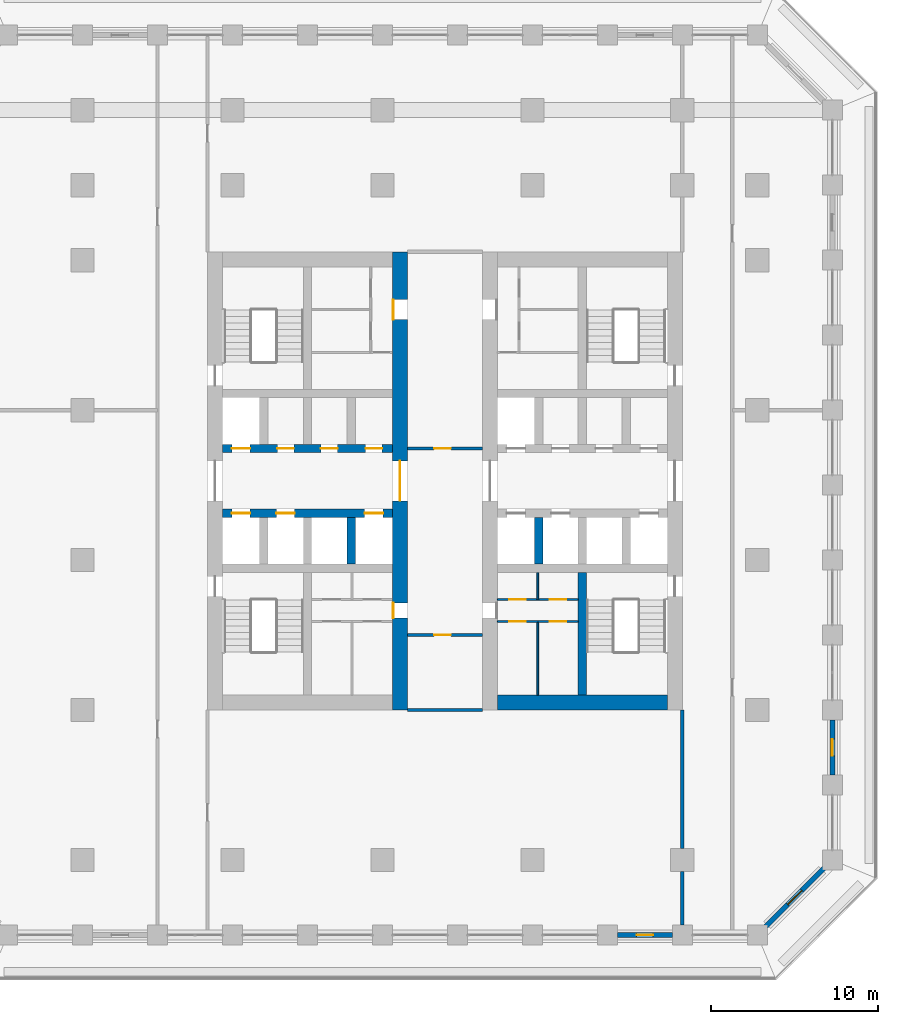
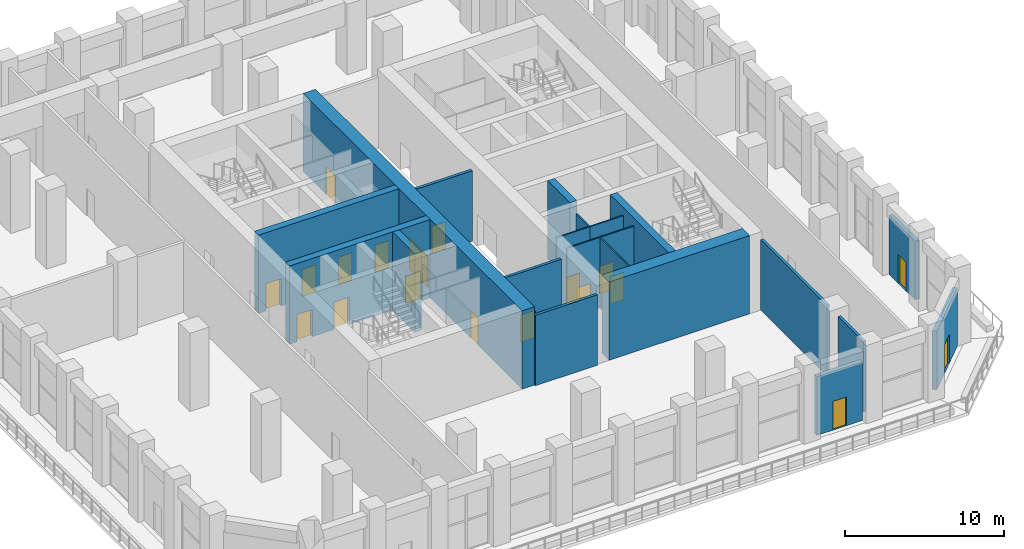
# One storey, part 13 of 24: 21 walls, 19 doors, 19 openings.
"""IFC4 building model written with IfcOpenShell, lengths in metres."""

from ifc_helpers import new_model, si_unit, direction, frame, frame_2d, origin, place, context, subcontext, project, spatial, rectangle, extrude, material, layer, layer_set, type_object, element, fill, save


model = new_model("IFC4")

# Units and contexts
model_context = context("Model", 3, precision=1e-05, world=origin(), true_north=direction((0.0, 1.0)))
body_context = subcontext(model_context, "Body", "Model", "MODEL_VIEW")
ifc_project = project(units=[si_unit("LENGTHUNIT", "METRE"), si_unit("AREAUNIT", "SQUARE_METRE"), si_unit("VOLUMEUNIT", "CUBIC_METRE"), si_unit("PLANEANGLEUNIT", "RADIAN"), si_unit("MASSUNIT", "GRAM", prefix="KILO")], contexts=[model_context])

# Site, building, storey
site_placement = place(None, origin())
site = spatial("IfcSite", under=ifc_project, at=site_placement, CompositionType="ELEMENT")
building_placement = place(site_placement, origin())
building = spatial("IfcBuilding", under=site, at=building_placement, Name="Corbel Stack Research Tower", CompositionType="ELEMENT")
storey_placement = place(building_placement, frame((0.0, 0.0, 145.39990234375)))
storey = spatial("IfcBuildingStorey", under=building, at=storey_placement, Name="L33", CompositionType="ELEMENT", Elevation=145.39990234375)

# Wall, openings, doors
ifc_material_1 = material(Name="Concrete C70/85", Category="concrete")
ifc_layer_1 = layer(ifc_material_1, 0.5)
ifc_layer_set_1 = layer_set([ifc_layer_1], Name="Concrete C70/85")
wall_type_1 = type_object("IfcWallType", Name="CW-500-70", PredefinedType="SHEAR", material=ifc_layer_set_1)
wall_1_placement = place(storey_placement, frame((-9.60009765625, 2.800048828125, 0.0), z_axis=(0.0, 0.0, 1.0), x_axis=(1.0, 0.0, 0.0)))
wall_1 = element("IfcWall", 1, at=wall_1_placement, inside=storey, type_object=wall_type_1, Name="West core wall, lobby south L33", PredefinedType="SHEAR", context=body_context, shape_type="SweptSolid", body=[
    extrude(rectangle(XDim=10.2001953125, YDim=0.5, at=frame_2d((5.10009765625, 0.0))), origin(), (0.0, 0.0, 1.0), 6.0),
])
opening_1_placement = place(wall_1_placement, frame((0.5625, 0.0, 0.0)))
opening_1 = element("IfcOpeningElement", 2, at=opening_1_placement, cuts=wall_1, Name="Opening LD-FS1", PredefinedType="OPENING", context=body_context, shape_type="SweptSolid", body=[
    extrude(rectangle(XDim=1.10009765625, YDim=2.10009765625, at=frame_2d((0.550048828125, 1.050048828125))), frame((0.0, 0.260009765625, 0.0), z_axis=(0.0, -1.0, 0.0), x_axis=(1.0, 0.0, 0.0)), (0.0, 0.0, 1.0), 0.52001953125),
])
opening_2_placement = place(wall_1_placement, frame((3.237548828125, 0.0, 0.0)))
opening_2 = element("IfcOpeningElement", 3, at=opening_2_placement, cuts=wall_1, Name="Opening LD-GL1", PredefinedType="OPENING", context=body_context, shape_type="SweptSolid", body=[
    extrude(rectangle(XDim=1.10009765625, YDim=2.10009765625, at=frame_2d((0.550048828125, 1.050048828125))), frame((0.0, 0.260009765625, 0.0), z_axis=(0.0, -1.0, 0.0), x_axis=(1.0, 0.0, 0.0)), (0.0, 0.0, 1.0), 0.52001953125),
])
opening_3_placement = place(wall_1_placement, frame((8.53759765625, 0.0, 0.0)))
opening_3 = element("IfcOpeningElement", 4, at=opening_3_placement, cuts=wall_1, Name="Opening LD-LR1", PredefinedType="OPENING", context=body_context, shape_type="SweptSolid", body=[
    extrude(rectangle(XDim=1.10009765625, YDim=2.10009765625, at=frame_2d((0.550048828125, 1.050048828125))), frame((0.0, 0.260009765625, 0.0), z_axis=(0.0, -1.0, 0.0), x_axis=(1.0, 0.0, 0.0)), (0.0, 0.0, 1.0), 0.52001953125),
])
ifc_material_2 = material(Name="Stainless steel landing door", Category="steel")
door_type_1 = type_object("IfcDoorType", Name="Lift landing door 1100 x 2100", OperationType="DOUBLE_DOOR_SLIDING", PredefinedType="DOOR", material=ifc_material_2)
door_1_placement = place(opening_1_placement, origin())
door_1 = element("IfcDoor", 5, at=door_1_placement, inside=storey, type_object=door_type_1, Name="Landing door FS1", OperationType="DOUBLE_DOOR_SLIDING", OverallHeight=2.10009765625, OverallWidth=1.10009765625, PredefinedType="DOOR", context=body_context, shape_type="SweptSolid", body=[
    extrude(rectangle(XDim=1.10009765625, YDim=2.10009765625, at=frame_2d((0.550048828125, 1.050048828125))), frame((0.0, 0.02490234375, 0.0), z_axis=(0.0, -1.0, 0.0), x_axis=(1.0, 0.0, 0.0)), (0.0, 0.0, 1.0), 0.050048828125),
])
fill(opening_1, door_1)
door_2_placement = place(opening_2_placement, origin())
door_2 = element("IfcDoor", 6, at=door_2_placement, inside=storey, type_object=door_type_1, Name="Landing door GL1", OperationType="DOUBLE_DOOR_SLIDING", OverallHeight=2.10009765625, OverallWidth=1.10009765625, PredefinedType="DOOR", context=body_context, shape_type="SweptSolid", body=[
    extrude(rectangle(XDim=1.10009765625, YDim=2.10009765625, at=frame_2d((0.550048828125, 1.050048828125))), frame((0.0, 0.02490234375, 0.0), z_axis=(0.0, -1.0, 0.0), x_axis=(1.0, 0.0, 0.0)), (0.0, 0.0, 1.0), 0.050048828125),
])
fill(opening_2, door_2)
door_3_placement = place(opening_3_placement, origin())
door_3 = element("IfcDoor", 7, at=door_3_placement, inside=storey, type_object=door_type_1, Name="Landing door LR1", OperationType="DOUBLE_DOOR_SLIDING", OverallHeight=2.10009765625, OverallWidth=1.10009765625, PredefinedType="DOOR", context=body_context, shape_type="SweptSolid", body=[
    extrude(rectangle(XDim=1.10009765625, YDim=2.10009765625, at=frame_2d((0.550048828125, 1.050048828125))), frame((0.0, 0.02490234375, 0.0), z_axis=(0.0, -1.0, 0.0), x_axis=(1.0, 0.0, 0.0)), (0.0, 0.0, 1.0), 0.050048828125),
])
fill(opening_3, door_3)

wall_2_placement = place(storey_placement, frame((-9.60009765625, 6.699951171875, 0.0), z_axis=(0.0, 0.0, 1.0), x_axis=(1.0, 0.0, 0.0)))
wall_2 = element("IfcWall", 8, at=wall_2_placement, inside=storey, type_object=wall_type_1, Name="West core wall, lobby north L33", PredefinedType="SHEAR", context=body_context, shape_type="SweptSolid", body=[
    extrude(rectangle(XDim=10.2001953125, YDim=0.5, at=frame_2d((5.10009765625, 0.0))), origin(), (0.0, 0.0, 1.0), 6.0),
])
opening_4_placement = place(wall_2_placement, frame((0.5625, 0.0, 0.0)))
opening_4 = element("IfcOpeningElement", 9, at=opening_4_placement, cuts=wall_2, Name="Opening LD-LR2", PredefinedType="OPENING", context=body_context, shape_type="SweptSolid", body=[
    extrude(rectangle(XDim=1.10009765625, YDim=2.10009765625, at=frame_2d((0.550048828125, 1.050048828125))), frame((0.0, 0.260009765625, 0.0), z_axis=(0.0, -1.0, 0.0), x_axis=(1.0, 0.0, 0.0)), (0.0, 0.0, 1.0), 0.52001953125),
])
opening_5_placement = place(wall_2_placement, frame((3.28759765625, 0.0, 0.0)))
opening_5 = element("IfcOpeningElement", 10, at=opening_5_placement, cuts=wall_2, Name="Opening CR-W54-N2", PredefinedType="OPENING", context=body_context, shape_type="SweptSolid", body=[
    extrude(rectangle(XDim=1.0, YDim=2.10009765625, at=frame_2d((0.5, 1.050048828125))), frame((0.0, 0.260009765625, 0.0), z_axis=(0.0, -1.0, 0.0), x_axis=(1.0, 0.0, 0.0)), (0.0, 0.0, 1.0), 0.52001953125),
])
opening_6_placement = place(wall_2_placement, frame((5.91259765625, 0.0, 0.0)))
opening_6 = element("IfcOpeningElement", 11, at=opening_6_placement, cuts=wall_2, Name="Opening CR-W54-N3", PredefinedType="OPENING", context=body_context, shape_type="SweptSolid", body=[
    extrude(rectangle(XDim=1.0, YDim=2.10009765625, at=frame_2d((0.5, 1.050048828125))), frame((0.0, 0.260009765625, 0.0), z_axis=(0.0, -1.0, 0.0), x_axis=(1.0, 0.0, 0.0)), (0.0, 0.0, 1.0), 0.52001953125),
])
opening_7_placement = place(wall_2_placement, frame((8.58740234375, 0.0, 0.0)))
opening_7 = element("IfcOpeningElement", 12, at=opening_7_placement, cuts=wall_2, Name="Opening CR-W54-N4", PredefinedType="OPENING", context=body_context, shape_type="SweptSolid", body=[
    extrude(rectangle(XDim=1.0, YDim=2.10009765625, at=frame_2d((0.5, 1.050048828125))), frame((0.0, 0.260009765625, 0.0), z_axis=(0.0, -1.0, 0.0), x_axis=(1.0, 0.0, 0.0)), (0.0, 0.0, 1.0), 0.52001953125),
])
door_4_placement = place(opening_4_placement, origin())
door_4 = element("IfcDoor", 13, at=door_4_placement, inside=storey, type_object=door_type_1, Name="Landing door LR2", OperationType="DOUBLE_DOOR_SLIDING", OverallHeight=2.10009765625, OverallWidth=1.10009765625, PredefinedType="DOOR", context=body_context, shape_type="SweptSolid", body=[
    extrude(rectangle(XDim=1.10009765625, YDim=2.10009765625, at=frame_2d((0.550048828125, 1.050048828125))), frame((0.0, 0.02490234375, 0.0), z_axis=(0.0, -1.0, 0.0), x_axis=(1.0, 0.0, 0.0)), (0.0, 0.0, 1.0), 0.050048828125),
])
fill(opening_4, door_4)
ifc_material_3 = material(Name="Painted steel door", Category="steel")
door_type_2 = type_object("IfcDoorType", Name="Service door 1000 x 2100 FD60 left hand", OperationType="SINGLE_SWING_LEFT", PredefinedType="DOOR", material=ifc_material_3)
door_5_placement = place(opening_6_placement, origin())
door_5 = element("IfcDoor", 14, at=door_5_placement, inside=storey, type_object=door_type_2, Name="Copy and supply store door W core", OperationType="SINGLE_SWING_LEFT", OverallHeight=2.10009765625, OverallWidth=1.0, PredefinedType="DOOR", context=body_context, shape_type="SweptSolid", body=[
    extrude(rectangle(XDim=1.0, YDim=2.10009765625, at=frame_2d((0.5, 1.050048828125))), frame((0.0, 0.02490234375, 0.0), z_axis=(0.0, -1.0, 0.0), x_axis=(1.0, 0.0, 0.0)), (0.0, 0.0, 1.0), 0.050048828125),
])
fill(opening_6, door_5)
ifc_material_4 = material(Name="Painted steel door", Category="steel")
door_type_3 = type_object("IfcDoorType", Name="Service door 1000 x 2100 FD60 right hand", OperationType="SINGLE_SWING_RIGHT", PredefinedType="DOOR", material=ifc_material_4)
door_6_placement = place(opening_5_placement, origin())
door_6 = element("IfcDoor", 15, at=door_6_placement, inside=storey, type_object=door_type_3, Name="Telecom room door W core", OperationType="SINGLE_SWING_RIGHT", OverallHeight=2.10009765625, OverallWidth=1.0, PredefinedType="DOOR", context=body_context, shape_type="SweptSolid", body=[
    extrude(rectangle(XDim=1.0, YDim=2.10009765625, at=frame_2d((0.5, 1.050048828125))), frame((0.0, 0.02490234375, 0.0), z_axis=(0.0, -1.0, 0.0), x_axis=(1.0, 0.0, 0.0)), (0.0, 0.0, 1.0), 0.050048828125),
])
fill(opening_5, door_6)
door_7_placement = place(opening_7_placement, origin())
door_7 = element("IfcDoor", 16, at=door_7_placement, inside=storey, type_object=door_type_3, Name="Records store door W core", OperationType="SINGLE_SWING_RIGHT", OverallHeight=2.10009765625, OverallWidth=1.0, PredefinedType="DOOR", context=body_context, shape_type="SweptSolid", body=[
    extrude(rectangle(XDim=1.0, YDim=2.10009765625, at=frame_2d((0.5, 1.050048828125))), frame((0.0, 0.02490234375, 0.0), z_axis=(0.0, -1.0, 0.0), x_axis=(1.0, 0.0, 0.0)), (0.0, 0.0, 1.0), 0.050048828125),
])
fill(opening_7, door_7)

# Walls
for number, where, z_axis, x_axis, name in (
    (17, (-1.875, -0.25, 0.0), (0.0, 0.0, 1.0), (0.0, 1.0, 0.0), "West core wall, south shaft 3 L33"),
    (18, (9.375, -0.25, 0.0), (0.0, 0.0, 1.0), (0.0, 1.0, 0.0), "East core wall, south shaft 1 L33"),
):
    element("IfcWall", number, at=place(storey_placement, frame(where, z_axis=z_axis, x_axis=x_axis)), inside=storey, type_object=wall_type_1, Name=name, PredefinedType="SHEAR", context=body_context, shape_type="SweptSolid", body=[
        extrude(rectangle(XDim=2.800048828125, YDim=0.5, at=frame_2d((1.39990234375, 0.0))), origin(), (0.0, 0.0, 1.0), 6.0),
    ])
wall_3_placement = place(storey_placement, frame((12.0, -8.10009765625, 0.0), z_axis=(0.0, 0.0, 1.0), x_axis=(0.0, 1.0, 0.0)))
element("IfcWall", 19, at=wall_3_placement, inside=storey, type_object=wall_type_1, Name="East core wall, south stair and WC L33", PredefinedType="SHEAR", context=body_context, shape_type="SweptSolid", body=[
    extrude(rectangle(XDim=7.35009765625, YDim=0.5, at=frame_2d((3.675048828125, 0.0))), origin(), (0.0, 0.0, 1.0), 6.0),
])

# Wall, openings, doors
ifc_material_5 = material(Name="Concrete C70/85", Category="concrete")
ifc_layer_2 = layer(ifc_material_5, 0.89990234375)
ifc_layer_set_2 = layer_set([ifc_layer_2], Name="Concrete C70/85")
wall_type_2 = type_object("IfcWallType", Name="CW-900-70", PredefinedType="SHEAR", material=ifc_layer_set_2)
wall_4_placement = place(storey_placement, frame((1.050048828125, -9.0, 0.0), z_axis=(0.0, 0.0, 1.0), x_axis=(0.0, 1.0, 0.0)))
wall_4 = element("IfcWall", 20, at=wall_4_placement, inside=storey, type_object=wall_type_2, Name="West core wall, east face L33", PredefinedType="SHEAR", context=body_context, shape_type="SweptSolid", body=[
    extrude(rectangle(XDim=27.5, YDim=0.89990234375, at=frame_2d((13.75, 0.0))), origin(), (0.0, 0.0, 1.0), 6.0),
])
opening_8_placement = place(wall_4_placement, frame((12.550048828125, 0.0, 0.0)))
opening_8 = element("IfcOpeningElement", 21, at=opening_8_placement, cuts=wall_4, Name="Opening CD-W-E", PredefinedType="OPENING", context=body_context, shape_type="SweptSolid", body=[
    extrude(rectangle(XDim=2.39990234375, YDim=2.39990234375, at=frame_2d((1.199951171875, 1.199951171875))), frame((0.0, 0.4599609375, 0.0), z_axis=(0.0, -1.0, 0.0), x_axis=(1.0, 0.0, 0.0)), (0.0, 0.0, 1.0), 0.919921875),
])
opening_9_placement = place(wall_4_placement, frame((5.510009765625, 0.0, 0.0)))
opening_9 = element("IfcOpeningElement", 22, at=opening_9_placement, cuts=wall_4, Name="Opening CR-W54-W1-923", PredefinedType="OPENING", context=body_context, shape_type="SweptSolid", body=[
    extrude(rectangle(XDim=0.923095703125, YDim=2.10009765625, at=frame_2d((0.46142578125, 1.050048828125))), frame((0.0, 0.4599609375, 0.0), z_axis=(0.0, -1.0, 0.0), x_axis=(1.0, 0.0, 0.0)), (0.0, 0.0, 1.0), 0.919921875),
])
opening_10_placement = place(wall_4_placement, frame((23.427490234375, 0.0, 0.0)))
opening_10 = element("IfcOpeningElement", 23, at=opening_10_placement, cuts=wall_4, Name="Opening CR-W54-R2-1200", PredefinedType="OPENING", context=body_context, shape_type="SweptSolid", body=[
    extrude(rectangle(XDim=1.199951171875, YDim=2.10009765625, at=frame_2d((0.60009765625, 1.050048828125))), frame((0.0, 0.4599609375, 0.0), z_axis=(0.0, -1.0, 0.0), x_axis=(1.0, 0.0, 0.0)), (0.0, 0.0, 1.0), 0.919921875),
])
ifc_material_6 = material(Name="Painted steel fire door", Category="steel")
door_type_4 = type_object("IfcDoorType", Name="Lobby door pair 2400 x 2400 FD30S", OperationType="DOUBLE_DOOR_DOUBLE_SWING", PredefinedType="DOOR", material=ifc_material_6)
door_8_placement = place(opening_8_placement, origin())
door_8 = element("IfcDoor", 24, at=door_8_placement, inside=storey, type_object=door_type_4, Name="Lift lobby door W core E", OperationType="DOUBLE_DOOR_DOUBLE_SWING", OverallHeight=2.39990234375, OverallWidth=2.39990234375, PredefinedType="DOOR", context=body_context, shape_type="SweptSolid", body=[
    extrude(rectangle(XDim=2.39990234375, YDim=2.39990234375, at=frame_2d((1.199951171875, 1.199951171875))), frame((0.0, 0.02490234375, 0.0), z_axis=(0.0, -1.0, 0.0), x_axis=(1.0, 0.0, 0.0)), (0.0, 0.0, 1.0), 0.050048828125),
])
fill(opening_8, door_8)
ifc_material_7 = material(Name="Painted steel door", Category="steel")
door_type_5 = type_object("IfcDoorType", Name="Service door 1200 x 2100 FD30 right hand", OperationType="SINGLE_SWING_RIGHT", PredefinedType="DOOR", material=ifc_material_7)
door_9_placement = place(opening_10_placement, origin())
door_9 = element("IfcDoor", 25, at=door_9_placement, inside=storey, type_object=door_type_5, Name="Service passage door W core", OperationType="SINGLE_SWING_RIGHT", OverallHeight=2.10009765625, OverallWidth=1.199951171875, PredefinedType="DOOR", context=body_context, shape_type="SweptSolid", body=[
    extrude(rectangle(XDim=1.199951171875, YDim=2.10009765625, at=frame_2d((0.60009765625, 1.050048828125))), frame((0.0, 0.4248046875, 0.0), z_axis=(0.0, -1.0, 0.0), x_axis=(1.0, 0.0, 0.0)), (0.0, 0.0, 1.0), 0.050048828125),
])
fill(opening_10, door_9)
ifc_material_8 = material(Name="Painted timber door", Category="wood")
door_type_6 = type_object("IfcDoorType", Name="WC door 923 x 2100 left hand", OperationType="SINGLE_SWING_LEFT", PredefinedType="DOOR", material=ifc_material_8)
door_10_placement = place(opening_9_placement, origin())
door_10 = element("IfcDoor", 26, at=door_10_placement, inside=storey, type_object=door_type_6, Name="WC lobby door W core", OperationType="SINGLE_SWING_LEFT", OverallHeight=2.10009765625, OverallWidth=0.923095703125, PredefinedType="DOOR", context=body_context, shape_type="SweptSolid", body=[
    extrude(rectangle(XDim=0.923095703125, YDim=2.10009765625, at=frame_2d((0.46142578125, 1.050048828125))), frame((0.0, 0.4248046875, 0.0), z_axis=(0.0, -1.0, 0.0), x_axis=(1.0, 0.0, 0.0)), (0.0, 0.0, 1.0), 0.050048828125),
])
fill(opening_9, door_10)

# Wall
wall_5_placement = place(storey_placement, frame((6.89990234375, -8.550048828125, 0.0), z_axis=(0.0, 0.0, 1.0), x_axis=(1.0, 0.0, 0.0)))
element("IfcWall", 27, at=wall_5_placement, inside=storey, type_object=wall_type_2, Name="East core wall, south end L33", PredefinedType="SHEAR", context=body_context, shape_type="SweptSolid", body=[
    extrude(rectangle(XDim=10.2001953125, YDim=0.89990234375, at=frame_2d((5.10009765625, 0.0))), origin(), (0.0, 0.0, 1.0), 6.0),
])

# Wall, opening, door
ifc_material_9 = material(Name="Gypsum board")
ifc_layer_3 = layer(ifc_material_9, 0.10009765625)
ifc_layer_set_3 = layer_set([ifc_layer_3], Name="Gypsum board")
wall_type_3 = type_object("IfcWallType", Name="Core partition 100", PredefinedType="PARTITIONING", material=ifc_layer_set_3)
wall_6_placement = place(storey_placement, frame((6.89990234375, -3.68994140625, 0.0), z_axis=(0.0, 0.0, 1.0), x_axis=(1.0, 0.0, 0.0)))
wall_6 = element("IfcWall", 28, at=wall_6_placement, inside=storey, type_object=wall_type_3, Name="Core partition E", PredefinedType="PARTITIONING", context=body_context, shape_type="SweptSolid", body=[
    extrude(rectangle(XDim=2.425048828125, YDim=0.10009765625, at=frame_2d((1.21240234375, 0.0))), origin(), (0.0, 0.0, 1.0), 5.400146484375),
])
opening_11_placement = place(wall_6_placement, frame((0.71240234375, 0.0, 0.0)))
opening_11 = element("IfcOpeningElement", 29, at=opening_11_placement, cuts=wall_6, Name="Opening CR-E54-W2-1000", PredefinedType="OPENING", context=body_context, shape_type="SweptSolid", body=[
    extrude(rectangle(XDim=1.0, YDim=2.10009765625, at=frame_2d((0.5, 1.050048828125))), frame((0.0, 0.06005859375, 0.0), z_axis=(0.0, -1.0, 0.0), x_axis=(1.0, 0.0, 0.0)), (0.0, 0.0, 1.0), 0.1201171875),
])
ifc_material_10 = material(Name="Painted timber door", Category="wood")
door_type_7 = type_object("IfcDoorType", Name="WC door 1000 x 2100 left hand", OperationType="SINGLE_SWING_LEFT", PredefinedType="DOOR", material=ifc_material_10)
door_11_placement = place(opening_11_placement, origin())
door_11 = element("IfcDoor", 30, at=door_11_placement, inside=storey, type_object=door_type_7, Name="Women's WC door E core", OperationType="SINGLE_SWING_LEFT", OverallHeight=2.10009765625, OverallWidth=1.0, PredefinedType="DOOR", context=body_context, shape_type="SweptSolid", body=[
    extrude(rectangle(XDim=1.0, YDim=2.10009765625, at=frame_2d((0.5, 1.050048828125))), frame((0.0, 0.02490234375, 0.0), z_axis=(0.0, -1.0, 0.0), x_axis=(1.0, 0.0, 0.0)), (0.0, 0.0, 1.0), 0.050048828125),
])
fill(opening_11, door_11)

wall_7_placement = place(storey_placement, frame((9.324951171875, -3.68994140625, 0.0), z_axis=(0.0, 0.0, 1.0), x_axis=(1.0, 0.0, 0.0)))
wall_7 = element("IfcWall", 31, at=wall_7_placement, inside=storey, type_object=wall_type_3, Name="Core partition E", PredefinedType="PARTITIONING", context=body_context, shape_type="SweptSolid", body=[
    extrude(rectangle(XDim=2.425048828125, YDim=0.10009765625, at=frame_2d((1.21240234375, 0.0))), origin(), (0.0, 0.0, 1.0), 5.400146484375),
])
opening_12_placement = place(wall_7_placement, frame((0.71240234375, 0.0, 0.0)))
opening_12 = element("IfcOpeningElement", 32, at=opening_12_placement, cuts=wall_7, Name="Opening CR-E54-W3-1000", PredefinedType="OPENING", context=body_context, shape_type="SweptSolid", body=[
    extrude(rectangle(XDim=1.0, YDim=2.10009765625, at=frame_2d((0.5, 1.050048828125))), frame((0.0, 0.06005859375, 0.0), z_axis=(0.0, -1.0, 0.0), x_axis=(1.0, 0.0, 0.0)), (0.0, 0.0, 1.0), 0.1201171875),
])
ifc_material_11 = material(Name="Painted timber door", Category="wood")
door_type_8 = type_object("IfcDoorType", Name="WC door 1000 x 2100 right hand", OperationType="SINGLE_SWING_RIGHT", PredefinedType="DOOR", material=ifc_material_11)
door_12_placement = place(opening_12_placement, origin())
door_12 = element("IfcDoor", 33, at=door_12_placement, inside=storey, type_object=door_type_8, Name="Men's WC door E core", OperationType="SINGLE_SWING_RIGHT", OverallHeight=2.10009765625, OverallWidth=1.0, PredefinedType="DOOR", context=body_context, shape_type="SweptSolid", body=[
    extrude(rectangle(XDim=1.0, YDim=2.10009765625, at=frame_2d((0.5, 1.050048828125))), frame((0.0, 0.02490234375, 0.0), z_axis=(0.0, -1.0, 0.0), x_axis=(1.0, 0.0, 0.0)), (0.0, 0.0, 1.0), 0.050048828125),
])
fill(opening_12, door_12)

wall_8_placement = place(storey_placement, frame((6.89990234375, -2.366943359375, 0.0), z_axis=(0.0, 0.0, 1.0), x_axis=(1.0, 0.0, 0.0)))
wall_8 = element("IfcWall", 34, at=wall_8_placement, inside=storey, type_object=wall_type_3, Name="Core partition E", PredefinedType="PARTITIONING", context=body_context, shape_type="SweptSolid", body=[
    extrude(rectangle(XDim=2.425048828125, YDim=0.10009765625, at=frame_2d((1.21240234375, 0.0))), origin(), (0.0, 0.0, 1.0), 5.400146484375),
])
opening_13_placement = place(wall_8_placement, frame((0.71240234375, 0.0, 0.0)))
opening_13 = element("IfcOpeningElement", 35, at=opening_13_placement, cuts=wall_8, Name="Opening CR-E54-W4-1000", PredefinedType="OPENING", context=body_context, shape_type="SweptSolid", body=[
    extrude(rectangle(XDim=1.0, YDim=2.10009765625, at=frame_2d((0.5, 1.050048828125))), frame((0.0, 0.06005859375, 0.0), z_axis=(0.0, -1.0, 0.0), x_axis=(1.0, 0.0, 0.0)), (0.0, 0.0, 1.0), 0.1201171875),
])
door_13_placement = place(opening_13_placement, origin())
door_13 = element("IfcDoor", 36, at=door_13_placement, inside=storey, type_object=door_type_7, Name="Accessible WC door E core", OperationType="SINGLE_SWING_LEFT", OverallHeight=2.10009765625, OverallWidth=1.0, PredefinedType="DOOR", context=body_context, shape_type="SweptSolid", body=[
    extrude(rectangle(XDim=1.0, YDim=2.10009765625, at=frame_2d((0.5, 1.050048828125))), frame((0.0, 0.02490234375, 0.0), z_axis=(0.0, -1.0, 0.0), x_axis=(1.0, 0.0, 0.0)), (0.0, 0.0, 1.0), 0.050048828125),
])
fill(opening_13, door_13)

wall_9_placement = place(storey_placement, frame((9.324951171875, -2.366943359375, 0.0), z_axis=(0.0, 0.0, 1.0), x_axis=(1.0, 0.0, 0.0)))
wall_9 = element("IfcWall", 37, at=wall_9_placement, inside=storey, type_object=wall_type_3, Name="Core partition E", PredefinedType="PARTITIONING", context=body_context, shape_type="SweptSolid", body=[
    extrude(rectangle(XDim=2.425048828125, YDim=0.10009765625, at=frame_2d((1.21240234375, 0.0))), origin(), (0.0, 0.0, 1.0), 5.400146484375),
])
opening_14_placement = place(wall_9_placement, frame((0.71240234375, 0.0, 0.0)))
opening_14 = element("IfcOpeningElement", 38, at=opening_14_placement, cuts=wall_9, Name="Opening CR-E54-W5-1000", PredefinedType="OPENING", context=body_context, shape_type="SweptSolid", body=[
    extrude(rectangle(XDim=1.0, YDim=2.10009765625, at=frame_2d((0.5, 1.050048828125))), frame((0.0, 0.06005859375, 0.0), z_axis=(0.0, -1.0, 0.0), x_axis=(1.0, 0.0, 0.0)), (0.0, 0.0, 1.0), 0.1201171875),
])
door_14_placement = place(opening_14_placement, origin())
door_14 = element("IfcDoor", 39, at=door_14_placement, inside=storey, type_object=door_type_8, Name="Shower and changing room door E core", OperationType="SINGLE_SWING_RIGHT", OverallHeight=2.10009765625, OverallWidth=1.0, PredefinedType="DOOR", context=body_context, shape_type="SweptSolid", body=[
    extrude(rectangle(XDim=1.0, YDim=2.10009765625, at=frame_2d((0.5, 1.050048828125))), frame((0.0, 0.02490234375, 0.0), z_axis=(0.0, -1.0, 0.0), x_axis=(1.0, 0.0, 0.0)), (0.0, 0.0, 1.0), 0.050048828125),
])
fill(opening_14, door_14)

# Walls
wall_10_placement = place(storey_placement, frame((9.324951171875, -8.10009765625, 0.0), z_axis=(0.0, 0.0, 1.0), x_axis=(0.0, 1.0, 0.0)))
element("IfcWall", 40, at=wall_10_placement, inside=storey, type_object=wall_type_3, Name="Core partition E", PredefinedType="PARTITIONING", context=body_context, shape_type="SweptSolid", body=[
    extrude(rectangle(XDim=4.41015625, YDim=0.10009765625, at=frame_2d((2.205078125, 0.0))), origin(), (0.0, 0.0, 1.0), 5.400146484375),
])
wall_11_placement = place(storey_placement, frame((9.324951171875, -2.366943359375, 0.0), z_axis=(0.0, 0.0, 1.0), x_axis=(0.0, 1.0, 0.0)))
element("IfcWall", 41, at=wall_11_placement, inside=storey, type_object=wall_type_3, Name="Core partition E", PredefinedType="PARTITIONING", context=body_context, shape_type="SweptSolid", body=[
    extrude(rectangle(XDim=1.616943359375, YDim=0.10009765625, at=frame_2d((0.80859375, 0.0))), origin(), (0.0, 0.0, 1.0), 5.400146484375),
])
ifc_material_12 = material(Name="Fire-rated gypsum board partition on steel studs", Category="steel")
ifc_layer_4 = layer(ifc_material_12, 0.199951171875)
ifc_layer_set_4 = layer_set([ifc_layer_4], Name="Fire-rated gypsum board partition on steel studs")
wall_type_4 = type_object("IfcWallType", Name="Fire-rated partition 200 EI 60", PredefinedType="PARTITIONING", material=ifc_layer_set_4)
wall_12_placement = place(storey_placement, frame((18.0, -21.89990234375, 0.0), z_axis=(0.0, 0.0, 1.0), x_axis=(0.0, 1.0, 0.0)))
element("IfcWall", 42, at=wall_12_placement, inside=storey, type_object=wall_type_4, Name="Partition L33-008", PredefinedType="PARTITIONING", context=body_context, shape_type="SweptSolid", body=[
    extrude(rectangle(XDim=3.199951171875, YDim=0.199951171875, at=frame_2d((1.60009765625, 0.0))), origin(), (0.0, 0.0, 1.0), 5.400146484375),
])
wall_13_placement = place(storey_placement, frame((18.0, -17.300048828125, 0.0), z_axis=(0.0, 0.0, 1.0), x_axis=(0.0, 1.0, 0.0)))
element("IfcWall", 43, at=wall_13_placement, inside=storey, type_object=wall_type_4, Name="Partition L33-009", PredefinedType="PARTITIONING", context=body_context, shape_type="SweptSolid", body=[
    extrude(rectangle(XDim=8.300048828125, YDim=0.199951171875, at=frame_2d((4.14990234375, 0.0))), origin(), (0.0, 0.0, 1.0), 5.400146484375),
])
wall_14_placement = place(storey_placement, frame((1.5, -9.0, 0.0), z_axis=(0.0, 0.0, 1.0), x_axis=(1.0, 0.0, 0.0)))
element("IfcWall", 44, at=wall_14_placement, inside=storey, type_object=wall_type_4, Name="Partition L33-016", PredefinedType="PARTITIONING", context=body_context, shape_type="SweptSolid", body=[
    extrude(rectangle(XDim=4.5, YDim=0.199951171875, at=frame_2d((2.25, 0.0))), origin(), (0.0, 0.0, 1.0), 5.400146484375),
])

# Wall, opening, door
wall_15_placement = place(storey_placement, frame((6.0, -4.5, 0.0), z_axis=(0.0, 0.0, 1.0), x_axis=(-1.0, 0.0, 0.0)))
wall_15 = element("IfcWall", 45, at=wall_15_placement, inside=storey, type_object=wall_type_4, Name="Partition L33-017", PredefinedType="PARTITIONING", context=body_context, shape_type="SweptSolid", body=[
    extrude(rectangle(XDim=4.5, YDim=0.199951171875, at=frame_2d((2.25, 0.0))), origin(), (0.0, 0.0, 1.0), 5.400146484375),
])
opening_15_placement = place(wall_15_placement, frame((1.89990234375, 0.0, 0.0)))
opening_15 = element("IfcOpeningElement", 46, at=opening_15_placement, cuts=wall_15, Name="Opening B4AM-005", PredefinedType="OPENING", context=body_context, shape_type="SweptSolid", body=[
    extrude(rectangle(XDim=1.0, YDim=2.10009765625, at=frame_2d((0.5, 1.050048828125))), frame((0.0, 0.10986328125, 0.0), z_axis=(0.0, -1.0, 0.0), x_axis=(1.0, 0.0, 0.0)), (0.0, 0.0, 1.0), 0.219970703125),
])
ifc_material_13 = material(Name="Painted steel fire door", Category="steel")
door_type_9 = type_object("IfcDoorType", Name="Fire door FD30S 1000 x 2100", OperationType="NOTDEFINED", PredefinedType="DOOR", material=ifc_material_13)
door_15_placement = place(opening_15_placement, origin())
door_15 = element("IfcDoor", 47, at=door_15_placement, inside=storey, type_object=door_type_9, Name="Door B4AM-005", OperationType="SINGLE_SWING_RIGHT", OverallHeight=2.10009765625, OverallWidth=1.0, PredefinedType="DOOR", context=body_context, shape_type="SweptSolid", body=[
    extrude(rectangle(XDim=1.0, YDim=2.10009765625, at=frame_2d((0.5, 1.050048828125))), frame((0.0, 0.02490234375, 0.0), z_axis=(0.0, -1.0, 0.0), x_axis=(1.0, 0.0, 0.0)), (0.0, 0.0, 1.0), 0.050048828125),
])
fill(opening_15, door_15)

wall_16_placement = place(storey_placement, frame((1.5, 6.699951171875, 0.0), z_axis=(0.0, 0.0, 1.0), x_axis=(1.0, 0.0, 0.0)))
wall_16 = element("IfcWall", 48, at=wall_16_placement, inside=storey, type_object=wall_type_4, Name="Partition L33-018", PredefinedType="PARTITIONING", context=body_context, shape_type="SweptSolid", body=[
    extrude(rectangle(XDim=4.5, YDim=0.199951171875, at=frame_2d((2.25, 0.0))), origin(), (0.0, 0.0, 1.0), 5.400146484375),
])
opening_16_placement = place(wall_16_placement, frame((1.60009765625, 0.0, 0.0)))
opening_16 = element("IfcOpeningElement", 49, at=opening_16_placement, cuts=wall_16, Name="Opening B4AM-006", PredefinedType="OPENING", context=body_context, shape_type="SweptSolid", body=[
    extrude(rectangle(XDim=1.0, YDim=2.10009765625, at=frame_2d((0.5, 1.050048828125))), frame((0.0, 0.10986328125, 0.0), z_axis=(0.0, -1.0, 0.0), x_axis=(1.0, 0.0, 0.0)), (0.0, 0.0, 1.0), 0.219970703125),
])
door_16_placement = place(opening_16_placement, origin())
door_16 = element("IfcDoor", 50, at=door_16_placement, inside=storey, type_object=door_type_9, Name="Door B4AM-006", OperationType="SINGLE_SWING_LEFT", OverallHeight=2.10009765625, OverallWidth=1.0, PredefinedType="DOOR", context=body_context, shape_type="SweptSolid", body=[
    extrude(rectangle(XDim=1.0, YDim=2.10009765625, at=frame_2d((0.5, 1.050048828125))), frame((0.0, 0.02490234375, 0.0), z_axis=(0.0, -1.0, 0.0), x_axis=(1.0, 0.0, 0.0)), (0.0, 0.0, 1.0), 0.050048828125),
])
fill(opening_16, door_16)

ifc_material_14 = material(Name="Concrete C45/55", Category="concrete")
ifc_layer_5 = layer(ifc_material_14, 0.300048828125)
ifc_layer_set_5 = layer_set([ifc_layer_5], Name="Concrete C45/55")
wall_type_5 = type_object("IfcWallType", Name="Terracotta-faced concrete wall 300", PredefinedType="SOLIDWALL", material=ifc_layer_set_5)
wall_17_placement = place(storey_placement, frame((17.39990234375, -22.5, 0.0), z_axis=(0.0, 0.0, 1.0), x_axis=(-1.0, 0.0, 0.0)))
wall_17 = element("IfcWall", 51, at=wall_17_placement, inside=storey, type_object=wall_type_5, Name="Facade wall L33 S09", PredefinedType="SOLIDWALL", context=body_context, shape_type="SweptSolid", body=[
    extrude(rectangle(XDim=3.2998046875, YDim=0.300048828125, at=frame_2d((1.64990234375, 0.0))), origin(), (0.0, 0.0, 1.0), 4.5),
])
opening_17_placement = place(wall_17_placement, frame((1.14990234375, 0.0, 0.0)))
opening_17 = element("IfcOpeningElement", 52, at=opening_17_placement, cuts=wall_17, Name="Opening L33-B02", PredefinedType="OPENING", context=body_context, shape_type="SweptSolid", body=[
    extrude(rectangle(XDim=1.0, YDim=2.199951171875, at=frame_2d((0.5, 1.10009765625))), frame((0.0, 0.159912109375, 0.0), z_axis=(0.0, -1.0, 0.0), x_axis=(1.0, 0.0, 0.0)), (0.0, 0.0, 1.0), 0.320068359375),
])
ifc_material_15 = material(Name="Aluminium frame, clear double glazing", Category="aluminium")
door_type_10 = type_object("IfcDoorType", Name="Balcony door BD1 1000 x 2200", OperationType="NOTDEFINED", PredefinedType="DOOR", material=ifc_material_15)
door_17_placement = place(opening_17_placement, origin())
door_17 = element("IfcDoor", 53, at=door_17_placement, inside=storey, type_object=door_type_10, Name="Balcony door L33-B02", OperationType="SINGLE_SWING_RIGHT", OverallHeight=2.199951171875, OverallWidth=1.0, PredefinedType="DOOR", context=body_context, shape_type="SweptSolid", body=[
    extrude(rectangle(XDim=1.0, YDim=2.199951171875, at=frame_2d((0.5, 1.10009765625))), frame((0.0, 0.02490234375, 0.0), z_axis=(0.0, -1.0, 0.0), x_axis=(1.0, 0.0, 0.0)), (0.0, 0.0, 1.0), 0.050048828125),
])
fill(opening_17, door_17)

wall_18_placement = place(storey_placement, frame((26.506103515625, -18.493896484375, 0.0), z_axis=(0.0, 0.0, 1.0), x_axis=(-0.707106781187, -0.707106781187, 0.0)))
wall_18 = element("IfcWall", 54, at=wall_18_placement, inside=storey, type_object=wall_type_5, Name="Facade wall L33 SE01", PredefinedType="SOLIDWALL", context=body_context, shape_type="SweptSolid", body=[
    extrude(rectangle(XDim=4.967041015625, YDim=0.300048828125, at=frame_2d((2.4833984375, 0.0))), origin(), (0.0, 0.0, 1.0), 4.5),
])
opening_18_placement = place(wall_18_placement, frame((1.883544921875, 0.0, 0.0)))
opening_18 = element("IfcOpeningElement", 55, at=opening_18_placement, cuts=wall_18, Name="Opening L33-B03", PredefinedType="OPENING", context=body_context, shape_type="SweptSolid", body=[
    extrude(rectangle(XDim=1.199951171875, YDim=2.199951171875, at=frame_2d((0.60009765625, 1.10009765625))), frame((0.0, 0.159912109375, 0.0), z_axis=(0.0, -1.0, 0.0), x_axis=(1.0, 0.0, 0.0)), (0.0, 0.0, 1.0), 0.320068359375),
])
ifc_material_16 = material(Name="Aluminium frame, clear double glazing", Category="aluminium")
door_type_11 = type_object("IfcDoorType", Name="Balcony door BD2 1200 x 2200", OperationType="NOTDEFINED", PredefinedType="DOOR", material=ifc_material_16)
door_18_placement = place(opening_18_placement, origin())
door_18 = element("IfcDoor", 56, at=door_18_placement, inside=storey, type_object=door_type_11, Name="Balcony door L33-B03", OperationType="SINGLE_SWING_RIGHT", OverallHeight=2.199951171875, OverallWidth=1.199951171875, PredefinedType="DOOR", context=body_context, shape_type="SweptSolid", body=[
    extrude(rectangle(XDim=1.199951171875, YDim=2.199951171875, at=frame_2d((0.60009765625, 1.10009765625))), frame((0.0, 0.02490234375, 0.0), z_axis=(0.0, -1.0, 0.0), x_axis=(1.0, 0.0, 0.0)), (0.0, 0.0, 1.0), 0.050048828125),
])
fill(opening_18, door_18)

wall_19_placement = place(storey_placement, frame((27.0, -9.60009765625, 0.0), z_axis=(0.0, 0.0, 1.0), x_axis=(0.0, -1.0, 0.0)))
wall_19 = element("IfcWall", 57, at=wall_19_placement, inside=storey, type_object=wall_type_5, Name="Facade wall L33 E02", PredefinedType="SOLIDWALL", context=body_context, shape_type="SweptSolid", body=[
    extrude(rectangle(XDim=3.2998046875, YDim=0.300048828125, at=frame_2d((1.64990234375, 0.0))), origin(), (0.0, 0.0, 1.0), 4.5),
])
opening_19_placement = place(wall_19_placement, frame((1.14990234375, 0.0, 0.0)))
opening_19 = element("IfcOpeningElement", 58, at=opening_19_placement, cuts=wall_19, Name="Opening L33-B04", PredefinedType="OPENING", context=body_context, shape_type="SweptSolid", body=[
    extrude(rectangle(XDim=1.0, YDim=2.199951171875, at=frame_2d((0.5, 1.10009765625))), frame((0.0, 0.159912109375, 0.0), z_axis=(0.0, -1.0, 0.0), x_axis=(1.0, 0.0, 0.0)), (0.0, 0.0, 1.0), 0.320068359375),
])
door_19_placement = place(opening_19_placement, origin())
door_19 = element("IfcDoor", 59, at=door_19_placement, inside=storey, type_object=door_type_10, Name="Balcony door L33-B04", OperationType="SINGLE_SWING_LEFT", OverallHeight=2.199951171875, OverallWidth=1.0, PredefinedType="DOOR", context=body_context, shape_type="SweptSolid", body=[
    extrude(rectangle(XDim=1.0, YDim=2.199951171875, at=frame_2d((0.5, 1.10009765625))), frame((0.0, 0.02490234375, 0.0), z_axis=(0.0, -1.0, 0.0), x_axis=(1.0, 0.0, 0.0)), (0.0, 0.0, 1.0), 0.050048828125),
])
fill(opening_19, door_19)

save(model, "model.ifc")
